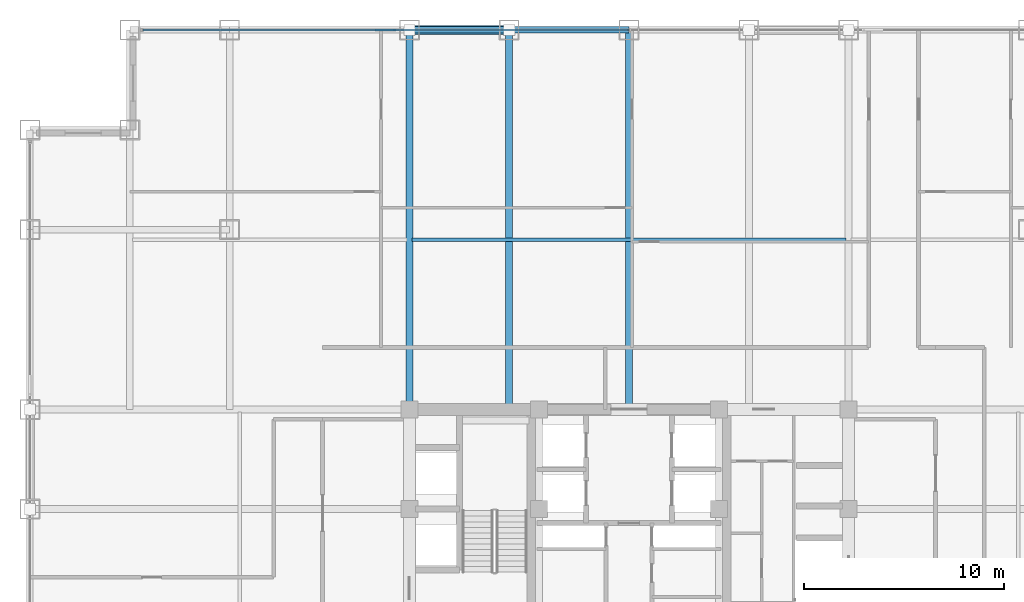
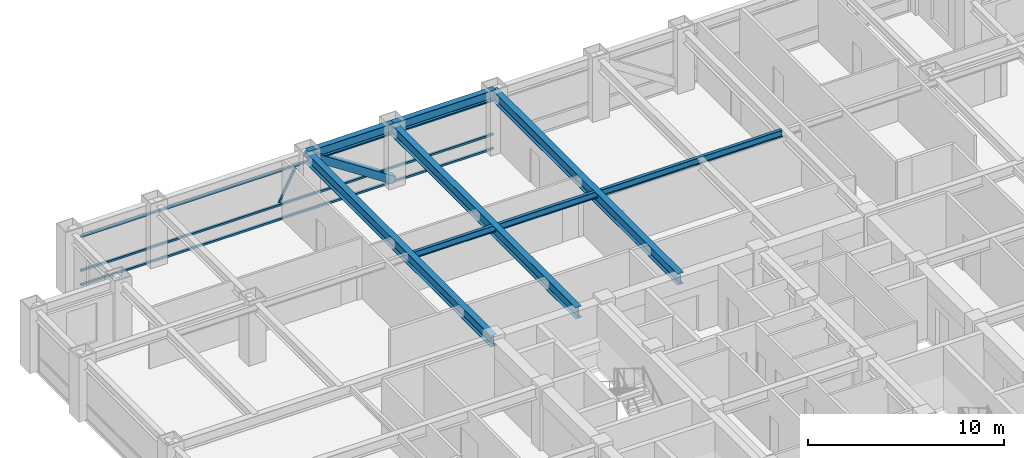
# One storey, part 15 of 25: 6 beams, 5 members, 1 element without a shape of its own.
"""IFC4 building model written with IfcOpenShell, lengths in metres."""

import ifcopenshell
import ifcopenshell.guid

model = None  # the IFC model being written
_history = None  # IfcOwnerHistory: only IFC2X3 demands one
_inside = {}  # id of a spatial element -> (the spatial element, [elements in it])
_under = {}  # id of a project, library or spatial element -> (it, [spatial elements below it])
_declared = {}  # id of a project -> (the project, [libraries it declares])
_typed = {}  # id of a type object -> (the type object, [elements of that type])
_made_of = {}  # id of a material, layer set ... -> (it, [elements and type objects made of it])


def new_model(schema):
    """Start an empty IFC model of exactly this schema.

    Asked for "IFC4X3", IfcOpenShell would pick the latest addendum, in which some entities
    have other attributes; the version numbers below select the first issue.
    IFC2X3 requires an IfcOwnerHistory on every rooted entity: one is made here for all.
    """
    global model, _history
    if schema == "IFC4X3":
        model = ifcopenshell.file(schema_version=(4, 3, 0, 0))
    else:
        model = ifcopenshell.file(schema=schema)
    _inside.clear()
    _under.clear()
    _declared.clear()
    _typed.clear()
    _made_of.clear()
    _history = None
    if model.schema == "IFC2X3":
        org = make("IfcOrganization", Name="unknown")
        user = make(
            "IfcPersonAndOrganization",
            ThePerson=make("IfcPerson", FamilyName="unknown"),
            TheOrganization=org,
        )
        app = make(
            "IfcApplication",
            ApplicationDeveloper=org,
            Version="unknown",
            ApplicationFullName="unknown",
            ApplicationIdentifier="unknown",
        )
        _history = make(
            "IfcOwnerHistory",
            OwningUser=user,
            OwningApplication=app,
            ChangeAction="ADDED",
            CreationDate=0,
        )
    return model


def make(cls, **values):
    """One entity of the class cls with the attributes given. An attribute that is None is left unset."""
    return model.create_entity(
        cls, **{name: value for name, value in values.items() if value is not None}
    )


def rooted(cls, **values):
    """An entity with a GlobalId (a new one), such as an element, a storey or a relation."""
    return make(cls, GlobalId=ifcopenshell.guid.new(), OwnerHistory=_history, **values)


def si_unit(unit_type, name, prefix=None):
    """IfcSIUnit, for example si_unit("LENGTHUNIT", "METRE", prefix="MILLI")."""
    return make("IfcSIUnit", UnitType=unit_type, Prefix=prefix, Name=name)


def assignment(units):
    """IfcUnitAssignment: the units of a project."""
    return None if units is None else make("IfcUnitAssignment", Units=units)


def point(xyz):
    """IfcCartesianPoint."""
    return None if xyz is None else make("IfcCartesianPoint", Coordinates=xyz)


def direction(xyz):
    """IfcDirection."""
    return None if xyz is None else make("IfcDirection", DirectionRatios=xyz)


def frame(location, z_axis=None, x_axis=None):
    """IfcAxis2Placement3D, a coordinate frame: its origin and axes. An axis left out is left unset."""
    return make(
        "IfcAxis2Placement3D",
        Location=point(location),
        Axis=direction(z_axis),
        RefDirection=direction(x_axis),
    )


def frame_2d(location, x_axis=None):
    """IfcAxis2Placement2D, a coordinate frame in the plane: its origin and x axis."""
    return make(
        "IfcAxis2Placement2D", Location=point(location), RefDirection=direction(x_axis)
    )


def origin():
    """The frame at (0, 0, 0) with its axes left unset."""
    return frame((0.0, 0.0, 0.0))


def origin_2d():
    """The frame at (0, 0) in the plane with its x axis left unset."""
    return frame_2d((0.0, 0.0))


def place(relative_to, where):
    """IfcLocalPlacement: puts the frame where relative to a parent placement (None: the world)."""
    return make(
        "IfcLocalPlacement", PlacementRelTo=relative_to, RelativePlacement=where
    )


def context(
    kind, dimensions, precision=None, world=None, true_north=None, identifier=None
):
    """IfcGeometricRepresentationContext, for example the 3D "Model" context."""
    return make(
        "IfcGeometricRepresentationContext",
        ContextIdentifier=identifier,
        ContextType=kind,
        CoordinateSpaceDimension=dimensions,
        Precision=precision,
        WorldCoordinateSystem=world,
        TrueNorth=true_north,
    )


def subcontext(parent, identifier, kind, view, scale=None):
    """IfcGeometricRepresentationSubContext, for example "Body" below "Model"."""
    return make(
        "IfcGeometricRepresentationSubContext",
        ContextIdentifier=identifier,
        ContextType=kind,
        ParentContext=parent,
        TargetScale=scale,
        TargetView=view,
    )


def project(units=None, contexts=None):
    """IfcProject with its units and contexts."""
    return rooted(
        "IfcProject",
        Name="project",
        RepresentationContexts=contexts,
        UnitsInContext=assignment(units),
    )


def spatial(cls, under=None, at=None, **own):
    """A site, building, storey or space (cls), placed at a placement, below another one or the project."""
    s = rooted(cls, ObjectPlacement=at, **own)
    if under is not None:
        _under.setdefault(under.id(), (under, []))[1].append(s)
    return s


def profile(cls, at=None, kind="AREA", **sizes):
    """A parametric profile (cls). Its sizes go by their IFC names, for example OverallWidth=200.0."""
    return make(cls, ProfileType=kind, Position=at, **sizes)


def hollow_rectangle(**sizes):
    """IfcRectangleHollowProfileDef."""
    return profile("IfcRectangleHollowProfileDef", **sizes)


def i_section(**sizes):
    """IfcIShapeProfileDef."""
    return profile("IfcIShapeProfileDef", **sizes)


def extrude(swept, where, along, depth):
    """IfcExtrudedAreaSolid: the profile swept, set in the frame where, extruded along a direction by depth."""
    return make(
        "IfcExtrudedAreaSolid",
        SweptArea=swept,
        Position=where,
        ExtrudedDirection=direction(along),
        Depth=depth,
    )


def shape(context_of_items, identifier, shape_type, items):
    """IfcShapeRepresentation: the items that make up one representation, for example the "Body"."""
    return make(
        "IfcShapeRepresentation",
        ContextOfItems=context_of_items,
        RepresentationIdentifier=identifier,
        RepresentationType=shape_type,
        Items=items,
    )


def source(mapping_origin, context_of_items, identifier, shape_type, items):
    """IfcRepresentationMap: a shape defined once, which mapped items show again and again."""
    return make(
        "IfcRepresentationMap",
        MappingOrigin=mapping_origin,
        MappedRepresentation=shape(context_of_items, identifier, shape_type, items),
    )


def transform(
    local_origin,
    x_axis=None,
    y_axis=None,
    z_axis=None,
    scale=None,
    scale2=None,
    scale3=None,
    uniform=True,
):
    """IfcCartesianTransformationOperator3D, or its non-uniform kind. x_axis, y_axis, z_axis: its Axis1, 2, 3."""
    if uniform:
        return make(
            "IfcCartesianTransformationOperator3D",
            Axis1=direction(x_axis),
            Axis2=direction(y_axis),
            LocalOrigin=point(local_origin),
            Scale=scale,
            Axis3=direction(z_axis),
        )
    return make(
        "IfcCartesianTransformationOperator3DnonUniform",
        Axis1=direction(x_axis),
        Axis2=direction(y_axis),
        LocalOrigin=point(local_origin),
        Scale=scale,
        Axis3=direction(z_axis),
        Scale2=scale2,
        Scale3=scale3,
    )


def mapped(mapping_source, mapping_target):
    """IfcMappedItem: shows the shape of a source again, moved by a transform."""
    return make(
        "IfcMappedItem", MappingSource=mapping_source, MappingTarget=mapping_target
    )


def material(Name=None, Category=None):
    """IfcMaterial."""
    return make("IfcMaterial", Name=Name, Category=Category)


def material_profile(
    of_material, cross_section, Name=None, Category=None, Priority=None
):
    """IfcMaterialProfile: a cross section and its material."""
    return make(
        "IfcMaterialProfile",
        Name=Name,
        Material=of_material,
        Profile=cross_section,
        Priority=Priority,
        Category=Category,
    )


def profile_set(profiles, Name=None, composite=None):
    """IfcMaterialProfileSet."""
    return make(
        "IfcMaterialProfileSet",
        Name=Name,
        MaterialProfiles=profiles,
        CompositeProfile=composite,
    )


def made_of(thing, what):
    """Note that an element or type object is made of a material, layer set ...; save() writes the relation."""
    if what is not None:
        _made_of.setdefault(what.id(), (what, []))[1].append(thing)
    return thing


def type_object(cls, material=None, **own):
    """A type object (cls), such as IfcWallType, which elements share."""
    return made_of(rooted(cls, **own), material)


def element(
    cls,
    number,
    at=None,
    inside=None,
    cuts=None,
    type_object=None,
    material=None,
    context=None,
    identifier="Body",
    shape_type=None,
    held_by="IfcProductDefinitionShape",
    body=None,
    shapes=None,
    **own,
):
    """One element of the class cls, such as IfcWall. Its Tag is "e" and its number.

    at: its placement. inside: the storey or other place that contains it. cuts: it is an
    opening in that element (IfcRelVoidsElement). A single representation is given by context,
    identifier, shape_type and body (its items); several are given by shapes. held_by: the class
    of the entity that holds the representations. save() writes the other relations.
    """
    e = rooted(cls, Tag="e%d" % number, ObjectPlacement=at, **own)
    if body is not None:
        shapes = [shape(context, identifier, shape_type, body)]
    if shapes is not None:
        e.Representation = make(held_by, Representations=shapes)
    if inside is not None:
        _inside.setdefault(inside.id(), (inside, []))[1].append(e)
    if cuts is not None:
        rooted(
            "IfcRelVoidsElement", RelatingBuildingElement=cuts, RelatedOpeningElement=e
        )
    if type_object is not None:
        _typed.setdefault(type_object.id(), (type_object, []))[1].append(e)
    return made_of(e, material)


def aggregate(whole, parts):
    """IfcRelAggregates: a whole, such as a stair, and the parts it consists of."""
    return rooted("IfcRelAggregates", RelatingObject=whole, RelatedObjects=parts)


def save(model, path):
    """Write the relations noted so far, then the file.

    IfcRelAggregates (storeys below a building ...), IfcRelContainedInSpatialStructure (elements
    in a storey), IfcRelDefinesByType, IfcRelAssociatesMaterial and IfcRelDeclares: one each for
    every whole, place, type object, material and project.
    """
    for whole, parts in _under.values():
        aggregate(whole, parts)
    for where, things in _inside.values():
        rooted(
            "IfcRelContainedInSpatialStructure",
            RelatedElements=things,
            RelatingStructure=where,
        )
    for kind, things in _typed.values():
        rooted("IfcRelDefinesByType", RelatedObjects=things, RelatingType=kind)
    for what, things in _made_of.values():
        rooted("IfcRelAssociatesMaterial", RelatedObjects=things, RelatingMaterial=what)
    for by, libraries in _declared.values():
        rooted("IfcRelDeclares", RelatingContext=by, RelatedDefinitions=libraries)
    model.write(path)


model = new_model("IFC4")

# Units and contexts
model_context = context("Model", 3, precision=1e-05, world=origin(), true_north=direction((0.0, 1.0)))
body_context = subcontext(model_context, "Body", "Model", "MODEL_VIEW")
ifc_project = project(units=[si_unit("LENGTHUNIT", "METRE"), si_unit("AREAUNIT", "SQUARE_METRE"), si_unit("VOLUMEUNIT", "CUBIC_METRE"), si_unit("PLANEANGLEUNIT", "RADIAN"), si_unit("MASSUNIT", "GRAM", prefix="KILO")], contexts=[model_context])

# Site, building, storey
site_placement = place(None, origin())
site = spatial("IfcSite", under=ifc_project, at=site_placement, CompositionType="ELEMENT")
building_placement = place(site_placement, origin())
building = spatial("IfcBuilding", under=site, at=building_placement, Name="Khorayat Bourse Tower", CompositionType="ELEMENT")
storey_placement = place(building_placement, frame((0.0, 0.0, 227.10009765625)))
storey = spatial("IfcBuildingStorey", under=building, at=storey_placement, Name="L53", CompositionType="ELEMENT", Elevation=227.10009765625)

# Beams
ifc_material_1 = material(Name="Steel ASTM A992 Grade 50", Category="steel")
ifc_material_profile_1 = material_profile(ifc_material_1, i_section(OverallWidth=0.180908203125, OverallDepth=0.4169921875, WebThickness=0.010986328125, FlangeThickness=0.018310546875, FilletRadius=0.011962890625, at=origin_2d()), Name="W410X85")
ifc_profile_set_1 = profile_set([ifc_material_profile_1], Name="Steel ASTM A992 Grade 50")
beam_type_1 = type_object("IfcBeamType", Name="BM-JOIST-410", PredefinedType="JOIST", material=ifc_profile_set_1)
shared_shape_1 = source(origin(), body_context, "Body", "SweptSolid", [
    extrude(i_section(OverallWidth=0.180908203125, OverallDepth=0.4169921875, WebThickness=0.010986328125, FlangeThickness=0.018310546875, FilletRadius=0.011962890625, at=origin_2d()), origin(), (0.0, 0.0, 1.0), 21.740234375),
])
beam_1_placement = place(storey_placement, frame((-10.8701171875, 19.5, 3.5712890625), z_axis=(1.0, 0.0, 0.0), x_axis=(0.0, 1.0, 0.0)))
element("IfcBeam", 1, at=beam_1_placement, inside=storey, type_object=beam_type_1, Name="L53 BM-JOIST-410 BM-L53-JSTX-100", PredefinedType="JOIST", context=body_context, shape_type="MappedRepresentation", body=[
    mapped(shared_shape_1, transform((0.0, 0.0, 0.0), scale=1.0)),
])
ifc_material_profile_2 = material_profile(ifc_material_1, i_section(OverallWidth=0.324951171875, OverallDepth=0.615966796875, WebThickness=0.013916015625, FlangeThickness=0.021484375, FilletRadius=0.01611328125, at=origin_2d()), Name="W610X174")
ifc_profile_set_2 = profile_set([ifc_material_profile_2], Name="Steel ASTM A992 Grade 50")
beam_type_2 = type_object("IfcBeamType", Name="BM-SPAN-610", PredefinedType="SPANDREL", material=ifc_profile_set_2)
shared_shape_2 = source(origin(), body_context, "Body", "SweptSolid", [
    extrude(i_section(OverallWidth=0.324951171875, OverallDepth=0.615966796875, WebThickness=0.013916015625, FlangeThickness=0.021484375, FilletRadius=0.01611328125, at=origin_2d()), origin(), (0.0, 0.0, 1.0), 5.0),
])
beam_2_placement = place(storey_placement, frame((-11.0, 30.0, 3.471923828125), z_axis=(1.0, 0.0, 0.0), x_axis=(0.0, 1.0, 0.0)))
element("IfcBeam", 2, at=beam_2_placement, inside=storey, type_object=beam_type_2, Name="L53 BM-SPAN-610 BM-L53-SPN-049", PredefinedType="SPANDREL", context=body_context, shape_type="MappedRepresentation", body=[
    mapped(shared_shape_2, transform((0.0, 0.0, 0.0), scale=1.0)),
])
shared_shape_3 = source(origin(), body_context, "Body", "SweptSolid", [
    extrude(i_section(OverallWidth=0.324951171875, OverallDepth=0.615966796875, WebThickness=0.013916015625, FlangeThickness=0.021484375, FilletRadius=0.01611328125, at=origin_2d()), origin(), (0.0, 0.0, 1.0), 6.0),
])
beam_3_placement = place(storey_placement, frame((-6.0, 30.0, 3.471923828125), z_axis=(1.0, 0.0, 0.0), x_axis=(0.0, 1.0, 0.0)))
element("IfcBeam", 3, at=beam_3_placement, inside=storey, type_object=beam_type_2, Name="L53 BM-SPAN-610 BM-L53-SPN-048", PredefinedType="SPANDREL", context=body_context, shape_type="MappedRepresentation", body=[
    mapped(shared_shape_3, transform((0.0, 0.0, 0.0), scale=1.0)),
])
ifc_material_profile_3 = material_profile(ifc_material_1, i_section(OverallWidth=0.35498046875, OverallDepth=0.695068359375, WebThickness=0.015380859375, FlangeThickness=0.02490234375, FilletRadius=0.01806640625, at=origin_2d()), Name="W690X217")
ifc_profile_set_3 = profile_set([ifc_material_profile_3], Name="Steel ASTM A992 Grade 50")
beam_type_3 = type_object("IfcBeamType", Name="BM-GIRD-690", PredefinedType="BEAM", material=ifc_profile_set_3)
shared_shape_4 = source(origin(), body_context, "Body", "SweptSolid", [
    extrude(i_section(OverallWidth=0.35498046875, OverallDepth=0.695068359375, WebThickness=0.015380859375, FlangeThickness=0.02490234375, FilletRadius=0.01806640625, at=origin_2d()), origin(), (0.0, 0.0, 1.0), 19.0),
])
for number, where, z_axis, x_axis, name in (
    (4, (-11.0, 11.0, 3.432373046875), (0.0, 1.0, 0.0), (-1.0, 0.0, 0.0), "L53 BM-GIRD-690 BM-L53-RADY-064"),
    (5, (-6.0, 11.0, 3.432373046875), (0.0, 1.0, 0.0), (-1.0, 0.0, 0.0), "L53 BM-GIRD-690 BM-L53-RADY-066"),
    (6, (0.0, 11.0, 3.432373046875), (0.0, 1.0, 0.0), (-1.0, 0.0, 0.0), "L53 BM-GIRD-690 BM-L53-RADY-068"),
):
    element("IfcBeam", number, at=place(storey_placement, frame(where, z_axis=z_axis, x_axis=x_axis)), inside=storey, type_object=beam_type_3, Name=name, PredefinedType="BEAM", context=body_context, shape_type="MappedRepresentation", body=[
        mapped(shared_shape_4, transform((0.0, 0.0, 0.0), scale=1.0)),
    ])

# Member
ifc_material_2 = material(Name="Steel EN 10025-4 S460M", Category="steel")
ifc_material_profile_4 = material_profile(ifc_material_2, hollow_rectangle(XDim=0.449951171875, YDim=0.449951171875, WallThickness=0.02490234375, at=origin_2d()), Name="HSS 450x450x25")
ifc_profile_set_4 = profile_set([ifc_material_profile_4], Name="Steel EN 10025-4 S460M")
member_type_1 = type_object("IfcMemberType", Name="MBR-TUBE-450", PredefinedType="BRACE", material=ifc_profile_set_4)
shared_shape_5 = source(origin(), body_context, "Body", "SweptSolid", [
    extrude(hollow_rectangle(XDim=0.449951171875, YDim=0.449951171875, WallThickness=0.02490234375, at=origin_2d()), origin(), (0.0, 0.0, 1.0), 5.979736328125),
])
member_1_placement = place(storey_placement, frame((-11.0, 30.0, 3.52978515625), z_axis=(0.836160261256, 0.0, -0.548485202623), x_axis=(0.0, 1.0, 0.0)))
element("IfcMember", 7, at=member_1_placement, inside=storey, type_object=member_type_1, Name="L53 Perimeter Tube Brace 03", PredefinedType="BRACE", context=body_context, shape_type="MappedRepresentation", body=[
    mapped(shared_shape_5, transform((0.0, 0.0, 0.0), scale=1.0)),
])

# Curtain wall, members
ifc_material_3 = material(Name="Aluminium EN AW-6063 T6", Category="aluminium")
curtain_wall_type = type_object("IfcCurtainWallType", Name="CW-SYS-03", PredefinedType="NOTDEFINED", material=ifc_material_3)
curtain_wall_placement = place(storey_placement, origin())
curtain_wall = element("IfcCurtainWall", 8, at=curtain_wall_placement, inside=storey, type_object=curtain_wall_type, Name="L53 Curtain Wall CW-L53-N1", PredefinedType="NOTDEFINED")
ifc_material_profile_5 = material_profile(ifc_material_3, hollow_rectangle(XDim=0.1201171875, YDim=0.1201171875, WallThickness=0.0048828125, at=origin_2d()), Name="ALU 120x120x5")
ifc_profile_set_5 = profile_set([ifc_material_profile_5], Name="Aluminium EN AW-6063 T6")
member_type_2 = type_object("IfcMemberType", Name="CWM-DIAG-120", PredefinedType="MULLION", material=ifc_profile_set_5)
shared_shape_6 = source(origin(), body_context, "Body", "SweptSolid", [
    extrude(hollow_rectangle(XDim=0.1201171875, YDim=0.1201171875, WallThickness=0.0048828125, at=origin_2d()), origin(), (0.0, 0.0, 1.0), 2.079345703125),
])
member_2_placement = place(storey_placement, frame((-12.67919921875, 30.0, 1.08984375), z_axis=(0.465760949701, 0.0, 0.884910581773), x_axis=(0.0, 1.0, 0.0)))
member_2 = element("IfcMember", 9, at=member_2_placement, type_object=member_type_2, Name="CW-L53-N1 Faceted Diagonal Mullion 1", PredefinedType="MULLION", context=body_context, shape_type="MappedRepresentation", body=[
    mapped(shared_shape_6, transform((0.0, 0.0, 0.0), scale=1.0)),
])
ifc_material_profile_6 = material_profile(ifc_material_3, hollow_rectangle(XDim=0.1201171875, YDim=0.1201171875, WallThickness=0.0048828125, at=origin_2d()), Name="ALU 120x120x5")
ifc_profile_set_6 = profile_set([ifc_material_profile_6], Name="Aluminium EN AW-6063 T6")
member_type_3 = type_object("IfcMemberType", Name="CWT-HORZ-120", PredefinedType="USERDEFINED", material=ifc_profile_set_6)
shared_shape_7 = source(origin(), body_context, "Body", "SweptSolid", [
    extrude(hollow_rectangle(XDim=0.1201171875, YDim=0.1201171875, WallThickness=0.0048828125, at=origin_2d()), origin(), (0.0, 0.0, 1.0), 24.27001953125),
])
member_3_placement = place(storey_placement, frame((-24.330078125, 30.0, 0.059814453125), z_axis=(1.0, 0.0, 0.0), x_axis=(0.0, 1.0, 0.0)))
member_3 = element("IfcMember", 10, at=member_3_placement, type_object=member_type_3, Name="CW-L53-N1 Horizontal Transom 1-1", ObjectType="TRANSOM", PredefinedType="USERDEFINED", context=body_context, shape_type="MappedRepresentation", body=[
    mapped(shared_shape_7, transform((0.0, 0.0, 0.0), scale=1.0)),
])
member_4_placement = place(storey_placement, frame((-24.330078125, 30.0, 0.949951171875), z_axis=(1.0, 0.0, 0.0), x_axis=(0.0, 1.0, 0.0)))
member_4 = element("IfcMember", 11, at=member_4_placement, type_object=member_type_3, Name="CW-L53-N1 Horizontal Transom 1-2", ObjectType="TRANSOM", PredefinedType="USERDEFINED", context=body_context, shape_type="MappedRepresentation", body=[
    mapped(shared_shape_7, transform((0.0, 0.0, 0.0), scale=1.0)),
])
member_5_placement = place(storey_placement, frame((-24.330078125, 30.0, 3.06982421875), z_axis=(1.0, 0.0, 0.0), x_axis=(0.0, 1.0, 0.0)))
member_5 = element("IfcMember", 12, at=member_5_placement, type_object=member_type_3, Name="CW-L53-N1 Horizontal Transom 1-3", ObjectType="TRANSOM", PredefinedType="USERDEFINED", context=body_context, shape_type="MappedRepresentation", body=[
    mapped(shared_shape_7, transform((0.0, 0.0, 0.0), scale=1.0)),
])
aggregate(curtain_wall, [member_3, member_4, member_5, member_2])

save(model, "model.ifc")
